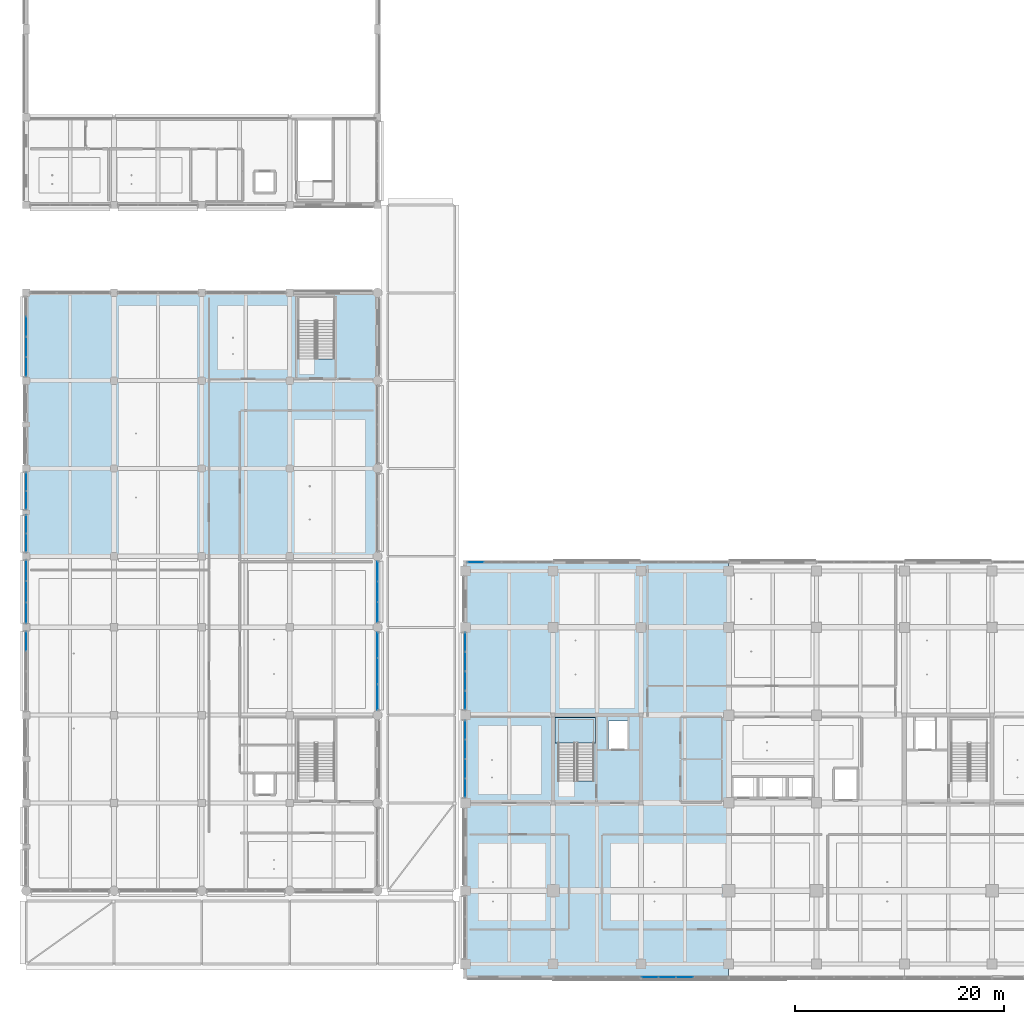
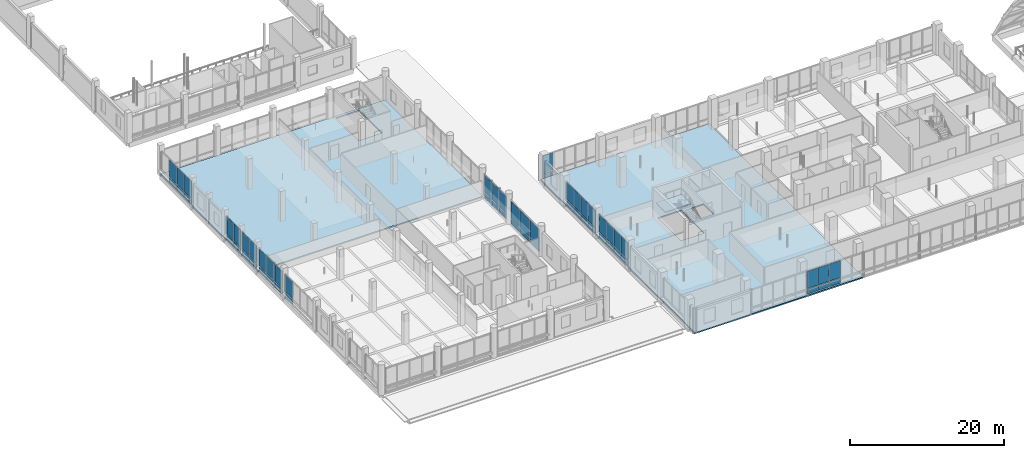
# One storey, part 39 of 128: 58 plates, 3 slabs, 12 elements without a shape of their own.
"""IFC4 building model written with IfcOpenShell, lengths in metres."""

from ifc_helpers import new_model, si_unit, direction, frame, origin, origin_2d, place, context, subcontext, project, spatial, polyline, rectangle, outline, extrude, material, layer, layer_set, type_object, element, aggregate, save


model = new_model("IFC4")

# Units and contexts
model_context = context("Model", 3, precision=1e-05, world=origin(), true_north=direction((0.0, 1.0)))
body_context = subcontext(model_context, "Body", "Model", "MODEL_VIEW")
ifc_project = project(units=[si_unit("LENGTHUNIT", "METRE"), si_unit("AREAUNIT", "SQUARE_METRE"), si_unit("VOLUMEUNIT", "CUBIC_METRE"), si_unit("PLANEANGLEUNIT", "RADIAN"), si_unit("MASSUNIT", "GRAM", prefix="KILO")], contexts=[model_context])

# Site, building, storey
site_placement = place(None, origin())
site = spatial("IfcSite", under=ifc_project, at=site_placement, CompositionType="ELEMENT")
building_placement = place(site_placement, origin())
building = spatial("IfcBuilding", under=site, at=building_placement, Name="Telukmera Botanical Conservatory", CompositionType="ELEMENT")
storey_placement = place(building_placement, frame((0.0, 0.0, 5.39990234375)))
storey = spatial("IfcBuildingStorey", under=building, at=storey_placement, Name="L01", CompositionType="ELEMENT", Elevation=5.39990234375)

# Stair, slab
ifc_material_1 = material(Name="Concrete C40/50", Category="concrete")
stair_type = type_object("IfcStairType", Name="ST-ESC-4800", PredefinedType="HALF_TURN_STAIR", material=ifc_material_1)
stair_placement = place(storey_placement, origin())
stair = element("IfcStair", 1, at=stair_placement, inside=storey, type_object=stair_type, Name="L01 Protected Escape Stair ST1", PredefinedType="HALF_TURN_STAIR")
ifc_layer_1 = layer(ifc_material_1, 0.199951171875)
ifc_layer_set_1 = layer_set([ifc_layer_1], Name="Concrete C40/50")
slab_type_1 = type_object("IfcSlabType", Name="SL-LAND-200", PredefinedType="LANDING", material=ifc_layer_set_1)
slab_1_placement = place(storey_placement, frame((0.0, 0.0, 2.2001953125)))
slab_1 = element("IfcSlab", 2, at=slab_1_placement, type_object=slab_type_1, Name="ST1 landing 1", PredefinedType="LANDING", context=body_context, shape_type="SweptSolid", body=[
    extrude(outline(polyline([(59.0048828125, 31.72998046875), (62.844970703125, 31.72998046875), (62.844970703125, 34.195068359375), (59.0048828125, 34.195068359375), (59.0048828125, 31.72998046875)])), origin(), (0.0, 0.0, 1.0), 0.199951171875),
])
aggregate(stair, [slab_1])

# Slabs
ifc_layer_2 = layer(ifc_material_1, 0.199951171875)
ifc_layer_set_2 = layer_set([ifc_layer_2], Name="Concrete C40/50")
slab_type_2 = type_object("IfcSlabType", Name="Slab_FS20", PredefinedType="FLOOR", material=ifc_layer_set_2)
slab_2_placement = place(storey_placement, frame((0.0, 0.0, -0.199951171875)))
element("IfcSlab", 3, at=slab_2_placement, inside=storey, type_object=slab_type_2, Name="Tower Floor Slab L01 (WEST)", PredefinedType="FLOOR", context=body_context, shape_type="SweptSolid", body=[
    extrude(outline(polyline([(50.39990234375, 9.199951171875), (75.60009765625, 9.199951171875), (75.60009765625, 49.199951171875), (50.39990234375, 49.199951171875), (50.39990234375, 9.199951171875)]), holes=[polyline([(62.72998046875, 28.093017578125), (62.72998046875, 34.050048828125), (59.25, 34.050048828125), (59.25, 28.093017578125), (62.72998046875, 28.093017578125)]), polyline([(64.080078125, 31.179931640625), (65.919921875, 31.179931640625), (65.919921875, 33.820068359375), (64.080078125, 33.820068359375), (64.080078125, 31.179931640625)])]), origin(), (0.0, 0.0, 1.0), 0.199951171875),
])
slab_3_placement = place(storey_placement, frame((0.0, 0.0, -0.199951171875)))
element("IfcSlab", 4, at=slab_3_placement, inside=storey, type_object=slab_type_2, Name="Visitor Centre North Floor Slab L01", PredefinedType="FLOOR", context=body_context, shape_type="SweptSolid", body=[
    extrude(outline(polyline([(8.39990234375, 49.60009765625), (42.0, 49.60009765625), (42.0, 74.800048828125), (8.39990234375, 74.800048828125), (8.39990234375, 49.60009765625)]), holes=[polyline([(37.8798828125, 68.492919921875), (37.8798828125, 74.449951171875), (34.39990234375, 74.449951171875), (34.39990234375, 68.492919921875), (37.8798828125, 68.492919921875)])]), origin(), (0.0, 0.0, 1.0), 0.199951171875),
])

# Curtain wall, plates
ifc_material_2 = material(Name="Anodised aluminium 6063-T6", Category="aluminium")
ifc_layer_3 = layer(ifc_material_2, 0.179931640625)
ifc_layer_set_3 = layer_set([ifc_layer_3], Name="Anodised aluminium 6063-T6")
curtain_wall_type_1 = type_object("IfcCurtainWallType", Name="Visitor Gallery Second Floor Curtain Wall 2400 Mod", PredefinedType="USERDEFINED", material=ifc_layer_set_3)
curtain_wall_1_placement = place(storey_placement, origin())
curtain_wall_1 = element("IfcCurtainWall", 5, at=curtain_wall_1_placement, inside=storey, type_object=curtain_wall_type_1, Name="Unitised Curtain Wall CW09 V3:L01:E3", ObjectType="UNITISED CURTAIN WALL", PredefinedType="USERDEFINED")
ifc_material_3 = material(Name="Spectrally selective low-E double glazing", Category="glass")
ifc_layer_4 = layer(ifc_material_3, 0.0380859375)
ifc_layer_set_4 = layer_set([ifc_layer_4], Name="Spectrally selective low-E double glazing")
plate_type_1 = type_object("IfcPlateType", Name="Solar Control Fritted Spandrel Glazing Panel 38", PredefinedType="CURTAIN_PANEL", material=ifc_layer_set_4)
plate_1_placement = place(storey_placement, frame((42.0, 36.11767578125, 0.130126953125), z_axis=(0.0, 0.0, 1.0), x_axis=(0.0, 1.0, 0.0)))
plate_1 = element("IfcPlate", 6, at=plate_1_placement, type_object=plate_type_1, Name="CW09 panel 1.1", PredefinedType="CURTAIN_PANEL", context=body_context, shape_type="SweptSolid", body=[
    extrude(rectangle(XDim=2.401123046875, YDim=0.0380859375, at=origin_2d()), origin(), (0.0, 0.0, 1.0), 0.7548828125),
])
plate_2_placement = place(storey_placement, frame((42.0, 36.11767578125, 1.01513671875), z_axis=(0.0, 0.0, 1.0), x_axis=(0.0, 1.0, 0.0)))
plate_2 = element("IfcPlate", 7, at=plate_2_placement, type_object=plate_type_1, Name="CW09 panel 1.2", PredefinedType="CURTAIN_PANEL", context=body_context, shape_type="SweptSolid", body=[
    extrude(rectangle(XDim=2.401123046875, YDim=0.0380859375, at=origin_2d()), origin(), (0.0, 0.0, 1.0), 2.705078125),
])
plate_3_placement = place(storey_placement, frame((42.0, 38.60009765625, 0.130126953125), z_axis=(0.0, 0.0, 1.0), x_axis=(0.0, 1.0, 0.0)))
plate_3 = element("IfcPlate", 8, at=plate_3_placement, type_object=plate_type_1, Name="CW09 panel 2.1", PredefinedType="CURTAIN_PANEL", context=body_context, shape_type="SweptSolid", body=[
    extrude(rectangle(XDim=2.43359375, YDim=0.0380859375, at=origin_2d()), origin(), (0.0, 0.0, 1.0), 0.7548828125),
])
plate_4_placement = place(storey_placement, frame((42.0, 38.60009765625, 1.01513671875), z_axis=(0.0, 0.0, 1.0), x_axis=(0.0, 1.0, 0.0)))
plate_4 = element("IfcPlate", 9, at=plate_4_placement, type_object=plate_type_1, Name="CW09 panel 2.2", PredefinedType="CURTAIN_PANEL", context=body_context, shape_type="SweptSolid", body=[
    extrude(rectangle(XDim=2.43359375, YDim=0.0380859375, at=origin_2d()), origin(), (0.0, 0.0, 1.0), 2.705078125),
])
plate_5_placement = place(storey_placement, frame((42.0, 41.08251953125, 0.130126953125), z_axis=(0.0, 0.0, 1.0), x_axis=(0.0, 1.0, 0.0)))
plate_5 = element("IfcPlate", 10, at=plate_5_placement, type_object=plate_type_1, Name="CW09 panel 3.1", PredefinedType="CURTAIN_PANEL", context=body_context, shape_type="SweptSolid", body=[
    extrude(rectangle(XDim=2.401123046875, YDim=0.0380859375, at=origin_2d()), origin(), (0.0, 0.0, 1.0), 0.7548828125),
])
plate_6_placement = place(storey_placement, frame((42.0, 41.08251953125, 1.01513671875), z_axis=(0.0, 0.0, 1.0), x_axis=(0.0, 1.0, 0.0)))
plate_6 = element("IfcPlate", 11, at=plate_6_placement, type_object=plate_type_1, Name="CW09 panel 3.2", PredefinedType="CURTAIN_PANEL", context=body_context, shape_type="SweptSolid", body=[
    extrude(rectangle(XDim=2.401123046875, YDim=0.0380859375, at=origin_2d()), origin(), (0.0, 0.0, 1.0), 2.705078125),
])
aggregate(curtain_wall_1, [plate_1, plate_2, plate_3, plate_4, plate_5, plate_6])

ifc_layer_5 = layer(ifc_material_2, 0.179931640625)
ifc_layer_set_5 = layer_set([ifc_layer_5], Name="Anodised aluminium 6063-T6")
curtain_wall_type_2 = type_object("IfcCurtainWallType", Name="Visitor Gallery First Floor Curtain Wall 1800 Mod", PredefinedType="USERDEFINED", material=ifc_layer_set_5)
curtain_wall_2_placement = place(storey_placement, origin())
curtain_wall_2 = element("IfcCurtainWall", 12, at=curtain_wall_2_placement, inside=storey, type_object=curtain_wall_type_2, Name="Unitised Curtain Wall CW08 V3:L01:W3", ObjectType="UNITISED CURTAIN WALL", PredefinedType="USERDEFINED")
ifc_layer_6 = layer(ifc_material_3, 0.028076171875)
ifc_layer_set_6 = layer_set([ifc_layer_6], Name="Spectrally selective low-E double glazing")
plate_type_2 = type_object("IfcPlateType", Name="Spectrally Selective Vision Double Glazing Panel 28", PredefinedType="CURTAIN_PANEL", material=ifc_layer_set_6)
plate_7_placement = place(storey_placement, frame((8.39990234375, 41.4697265625, 0.130126953125), z_axis=(0.0, 0.0, 1.0), x_axis=(0.0, 1.0, 0.0)))
plate_7 = element("IfcPlate", 13, at=plate_7_placement, type_object=plate_type_2, Name="CW08 panel 4.1", PredefinedType="CURTAIN_PANEL", context=body_context, shape_type="SweptSolid", body=[
    extrude(rectangle(XDim=1.826416015625, YDim=0.028076171875, at=origin_2d()), origin(), (0.0, 0.0, 1.0), 0.7548828125),
])
plate_8_placement = place(storey_placement, frame((8.39990234375, 41.4697265625, 1.01513671875), z_axis=(0.0, 0.0, 1.0), x_axis=(0.0, 1.0, 0.0)))
plate_8 = element("IfcPlate", 14, at=plate_8_placement, type_object=plate_type_2, Name="CW08 panel 4.2", PredefinedType="CURTAIN_PANEL", context=body_context, shape_type="SweptSolid", body=[
    extrude(rectangle(XDim=1.826416015625, YDim=0.028076171875, at=origin_2d()), origin(), (0.0, 0.0, 1.0), 2.705078125),
])
aggregate(curtain_wall_2, [plate_7, plate_8])

ifc_layer_7 = layer(ifc_material_2, 0.179931640625)
ifc_layer_set_7 = layer_set([ifc_layer_7], Name="Anodised aluminium 6063-T6")
curtain_wall_type_3 = type_object("IfcCurtainWallType", Name="Visitor Courtyard Narrow Bay Curtain Wall", PredefinedType="USERDEFINED", material=ifc_layer_set_7)
curtain_wall_3_placement = place(storey_placement, origin())
curtain_wall_3 = element("IfcCurtainWall", 15, at=curtain_wall_3_placement, inside=storey, type_object=curtain_wall_type_3, Name="Unitised Curtain Wall CW10 V3:L01:W4", ObjectType="UNITISED CURTAIN WALL", PredefinedType="USERDEFINED")
plate_9_placement = place(storey_placement, frame((8.39990234375, 44.18310546875, 0.1103515625), z_axis=(0.0, 0.0, 1.0), x_axis=(0.0, 1.0, 0.0)))
plate_9 = element("IfcPlate", 16, at=plate_9_placement, type_object=plate_type_2, Name="CW10 panel 1.1", PredefinedType="CURTAIN_PANEL", context=body_context, shape_type="SweptSolid", body=[
    extrude(rectangle(XDim=1.94189453125, YDim=0.028076171875, at=origin_2d()), origin(), (0.0, 0.0, 1.0), 0.784912109375),
])
plate_10_placement = place(storey_placement, frame((8.39990234375, 44.18310546875, 1.0048828125), z_axis=(0.0, 0.0, 1.0), x_axis=(0.0, 1.0, 0.0)))
plate_10 = element("IfcPlate", 17, at=plate_10_placement, type_object=plate_type_2, Name="CW10 panel 1.2", PredefinedType="CURTAIN_PANEL", context=body_context, shape_type="SweptSolid", body=[
    extrude(rectangle(XDim=1.94189453125, YDim=0.028076171875, at=origin_2d()), origin(), (0.0, 0.0, 1.0), 2.735107421875),
])
plate_11_placement = place(storey_placement, frame((8.39990234375, 46.199951171875, 0.1103515625), z_axis=(0.0, 0.0, 1.0), x_axis=(0.0, 1.0, 0.0)))
plate_11 = element("IfcPlate", 18, at=plate_11_placement, type_object=plate_type_2, Name="CW10 panel 2.1", PredefinedType="CURTAIN_PANEL", context=body_context, shape_type="SweptSolid", body=[
    extrude(rectangle(XDim=1.971923828125, YDim=0.028076171875, at=origin_2d()), origin(), (0.0, 0.0, 1.0), 0.784912109375),
])
plate_12_placement = place(storey_placement, frame((8.39990234375, 46.199951171875, 1.0048828125), z_axis=(0.0, 0.0, 1.0), x_axis=(0.0, 1.0, 0.0)))
plate_12 = element("IfcPlate", 19, at=plate_12_placement, type_object=plate_type_2, Name="CW10 panel 2.2", PredefinedType="CURTAIN_PANEL", context=body_context, shape_type="SweptSolid", body=[
    extrude(rectangle(XDim=1.971923828125, YDim=0.028076171875, at=origin_2d()), origin(), (0.0, 0.0, 1.0), 2.735107421875),
])
plate_13_placement = place(storey_placement, frame((8.39990234375, 48.217041015625, 0.1103515625), z_axis=(0.0, 0.0, 1.0), x_axis=(0.0, 1.0, 0.0)))
plate_13 = element("IfcPlate", 20, at=plate_13_placement, type_object=plate_type_2, Name="CW10 panel 3.1", PredefinedType="CURTAIN_PANEL", context=body_context, shape_type="SweptSolid", body=[
    extrude(rectangle(XDim=1.94189453125, YDim=0.028076171875, at=origin_2d()), origin(), (0.0, 0.0, 1.0), 0.784912109375),
])
plate_14_placement = place(storey_placement, frame((8.39990234375, 48.217041015625, 1.0048828125), z_axis=(0.0, 0.0, 1.0), x_axis=(0.0, 1.0, 0.0)))
plate_14 = element("IfcPlate", 21, at=plate_14_placement, type_object=plate_type_2, Name="CW10 panel 3.2", PredefinedType="CURTAIN_PANEL", context=body_context, shape_type="SweptSolid", body=[
    extrude(rectangle(XDim=1.94189453125, YDim=0.028076171875, at=origin_2d()), origin(), (0.0, 0.0, 1.0), 2.735107421875),
])
aggregate(curtain_wall_3, [plate_9, plate_10, plate_11, plate_12, plate_13, plate_14])

curtain_wall_4_placement = place(storey_placement, origin())
curtain_wall_4 = element("IfcCurtainWall", 22, at=curtain_wall_4_placement, inside=storey, type_object=curtain_wall_type_2, Name="Unitised Curtain Wall CW08 V3:L01:W5A", ObjectType="UNITISED CURTAIN WALL", PredefinedType="USERDEFINED")
plate_15_placement = place(storey_placement, frame((8.39990234375, 50.87353515625, 0.130126953125), z_axis=(0.0, 0.0, 1.0), x_axis=(0.0, 1.0, 0.0)))
plate_15 = element("IfcPlate", 23, at=plate_15_placement, type_object=plate_type_2, Name="CW08 panel 1.1", PredefinedType="CURTAIN_PANEL", context=body_context, shape_type="SweptSolid", body=[
    extrude(rectangle(XDim=1.712890625, YDim=0.028076171875, at=origin_2d()), origin(), (0.0, 0.0, 1.0), 0.7548828125),
])
plate_16_placement = place(storey_placement, frame((8.39990234375, 50.87353515625, 1.01513671875), z_axis=(0.0, 0.0, 1.0), x_axis=(0.0, 1.0, 0.0)))
plate_16 = element("IfcPlate", 24, at=plate_16_placement, type_object=plate_type_2, Name="CW08 panel 1.2", PredefinedType="CURTAIN_PANEL", context=body_context, shape_type="SweptSolid", body=[
    extrude(rectangle(XDim=1.712890625, YDim=0.028076171875, at=origin_2d()), origin(), (0.0, 0.0, 1.0), 2.705078125),
])
plate_17_placement = place(storey_placement, frame((8.39990234375, 52.651611328125, 0.130126953125), z_axis=(0.0, 0.0, 1.0), x_axis=(0.0, 1.0, 0.0)))
plate_17 = element("IfcPlate", 25, at=plate_17_placement, type_object=plate_type_2, Name="CW08 panel 2.1", PredefinedType="CURTAIN_PANEL", context=body_context, shape_type="SweptSolid", body=[
    extrude(rectangle(XDim=1.712890625, YDim=0.028076171875, at=origin_2d()), origin(), (0.0, 0.0, 1.0), 0.7548828125),
])
plate_18_placement = place(storey_placement, frame((8.39990234375, 52.651611328125, 1.01513671875), z_axis=(0.0, 0.0, 1.0), x_axis=(0.0, 1.0, 0.0)))
plate_18 = element("IfcPlate", 26, at=plate_18_placement, type_object=plate_type_2, Name="CW08 panel 2.2", PredefinedType="CURTAIN_PANEL", context=body_context, shape_type="SweptSolid", body=[
    extrude(rectangle(XDim=1.712890625, YDim=0.028076171875, at=origin_2d()), origin(), (0.0, 0.0, 1.0), 2.705078125),
])
aggregate(curtain_wall_4, [plate_15, plate_16, plate_17, plate_18])

curtain_wall_5_placement = place(storey_placement, origin())
curtain_wall_5 = element("IfcCurtainWall", 27, at=curtain_wall_5_placement, inside=storey, type_object=curtain_wall_type_2, Name="Unitised Curtain Wall CW08 V3:L01:W5B", ObjectType="UNITISED CURTAIN WALL", PredefinedType="USERDEFINED")
plate_19_placement = place(storey_placement, frame((8.39990234375, 54.948486328125, 0.130126953125), z_axis=(0.0, 0.0, 1.0), x_axis=(0.0, 1.0, 0.0)))
plate_19 = element("IfcPlate", 28, at=plate_19_placement, type_object=plate_type_2, Name="CW08 panel 1.1", PredefinedType="CURTAIN_PANEL", context=body_context, shape_type="SweptSolid", body=[
    extrude(rectangle(XDim=1.712890625, YDim=0.028076171875, at=origin_2d()), origin(), (0.0, 0.0, 1.0), 0.7548828125),
])
plate_20_placement = place(storey_placement, frame((8.39990234375, 54.948486328125, 1.01513671875), z_axis=(0.0, 0.0, 1.0), x_axis=(0.0, 1.0, 0.0)))
plate_20 = element("IfcPlate", 29, at=plate_20_placement, type_object=plate_type_2, Name="CW08 panel 1.2", PredefinedType="CURTAIN_PANEL", context=body_context, shape_type="SweptSolid", body=[
    extrude(rectangle(XDim=1.712890625, YDim=0.028076171875, at=origin_2d()), origin(), (0.0, 0.0, 1.0), 2.705078125),
])
plate_21_placement = place(storey_placement, frame((8.39990234375, 56.7265625, 0.130126953125), z_axis=(0.0, 0.0, 1.0), x_axis=(0.0, 1.0, 0.0)))
plate_21 = element("IfcPlate", 30, at=plate_21_placement, type_object=plate_type_2, Name="CW08 panel 2.1", PredefinedType="CURTAIN_PANEL", context=body_context, shape_type="SweptSolid", body=[
    extrude(rectangle(XDim=1.712890625, YDim=0.028076171875, at=origin_2d()), origin(), (0.0, 0.0, 1.0), 0.7548828125),
])
plate_22_placement = place(storey_placement, frame((8.39990234375, 56.7265625, 1.01513671875), z_axis=(0.0, 0.0, 1.0), x_axis=(0.0, 1.0, 0.0)))
plate_22 = element("IfcPlate", 31, at=plate_22_placement, type_object=plate_type_2, Name="CW08 panel 2.2", PredefinedType="CURTAIN_PANEL", context=body_context, shape_type="SweptSolid", body=[
    extrude(rectangle(XDim=1.712890625, YDim=0.028076171875, at=origin_2d()), origin(), (0.0, 0.0, 1.0), 2.705078125),
])
aggregate(curtain_wall_5, [plate_19, plate_20, plate_21, plate_22])

curtain_wall_6_placement = place(storey_placement, origin())
curtain_wall_6 = element("IfcCurtainWall", 32, at=curtain_wall_6_placement, inside=storey, type_object=curtain_wall_type_2, Name="Unitised Curtain Wall CW08 V3:L01:W7", ObjectType="UNITISED CURTAIN WALL", PredefinedType="USERDEFINED")
plate_23_placement = place(storey_placement, frame((8.39990234375, 67.730224609375, 0.130126953125), z_axis=(0.0, 0.0, 1.0), x_axis=(0.0, 1.0, 0.0)))
plate_23 = element("IfcPlate", 33, at=plate_23_placement, type_object=plate_type_2, Name="CW08 panel 1.1", PredefinedType="CURTAIN_PANEL", context=body_context, shape_type="SweptSolid", body=[
    extrude(rectangle(XDim=1.826416015625, YDim=0.028076171875, at=origin_2d()), origin(), (0.0, 0.0, 1.0), 0.7548828125),
])
plate_24_placement = place(storey_placement, frame((8.39990234375, 67.730224609375, 1.01513671875), z_axis=(0.0, 0.0, 1.0), x_axis=(0.0, 1.0, 0.0)))
plate_24 = element("IfcPlate", 34, at=plate_24_placement, type_object=plate_type_2, Name="CW08 panel 1.2", PredefinedType="CURTAIN_PANEL", context=body_context, shape_type="SweptSolid", body=[
    extrude(rectangle(XDim=1.826416015625, YDim=0.028076171875, at=origin_2d()), origin(), (0.0, 0.0, 1.0), 2.705078125),
])
plate_25_placement = place(storey_placement, frame((8.39990234375, 69.637939453125, 0.130126953125), z_axis=(0.0, 0.0, 1.0), x_axis=(0.0, 1.0, 0.0)))
plate_25 = element("IfcPlate", 35, at=plate_25_placement, type_object=plate_type_2, Name="CW08 panel 2.1", PredefinedType="CURTAIN_PANEL", context=body_context, shape_type="SweptSolid", body=[
    extrude(rectangle(XDim=1.85888671875, YDim=0.028076171875, at=origin_2d()), origin(), (0.0, 0.0, 1.0), 0.7548828125),
])
plate_26_placement = place(storey_placement, frame((8.39990234375, 69.637939453125, 1.01513671875), z_axis=(0.0, 0.0, 1.0), x_axis=(0.0, 1.0, 0.0)))
plate_26 = element("IfcPlate", 36, at=plate_26_placement, type_object=plate_type_2, Name="CW08 panel 2.2", PredefinedType="CURTAIN_PANEL", context=body_context, shape_type="SweptSolid", body=[
    extrude(rectangle(XDim=1.85888671875, YDim=0.028076171875, at=origin_2d()), origin(), (0.0, 0.0, 1.0), 2.705078125),
])
plate_27_placement = place(storey_placement, frame((8.39990234375, 71.56201171875, 0.130126953125), z_axis=(0.0, 0.0, 1.0), x_axis=(0.0, 1.0, 0.0)))
plate_27 = element("IfcPlate", 37, at=plate_27_placement, type_object=plate_type_2, Name="CW08 panel 3.1", PredefinedType="CURTAIN_PANEL", context=body_context, shape_type="SweptSolid", body=[
    extrude(rectangle(XDim=1.85888671875, YDim=0.028076171875, at=origin_2d()), origin(), (0.0, 0.0, 1.0), 0.7548828125),
])
plate_28_placement = place(storey_placement, frame((8.39990234375, 71.56201171875, 1.01513671875), z_axis=(0.0, 0.0, 1.0), x_axis=(0.0, 1.0, 0.0)))
plate_28 = element("IfcPlate", 38, at=plate_28_placement, type_object=plate_type_2, Name="CW08 panel 3.2", PredefinedType="CURTAIN_PANEL", context=body_context, shape_type="SweptSolid", body=[
    extrude(rectangle(XDim=1.85888671875, YDim=0.028076171875, at=origin_2d()), origin(), (0.0, 0.0, 1.0), 2.705078125),
])
aggregate(curtain_wall_6, [plate_23, plate_24, plate_25, plate_26, plate_27, plate_28])

curtain_wall_7_placement = place(storey_placement, origin())
curtain_wall_7 = element("IfcCurtainWall", 39, at=curtain_wall_7_placement, inside=storey, type_object=curtain_wall_type_3, Name="Unitised Curtain Wall CW10 V3:L01:E4", ObjectType="UNITISED CURTAIN WALL", PredefinedType="USERDEFINED")
plate_29_placement = place(storey_placement, frame((42.0, 44.249755859375, 0.1103515625), z_axis=(0.0, 0.0, 1.0), x_axis=(0.0, 1.0, 0.0)))
plate_29 = element("IfcPlate", 40, at=plate_29_placement, type_object=plate_type_2, Name="CW10 panel 1.1", PredefinedType="CURTAIN_PANEL", context=body_context, shape_type="SweptSolid", body=[
    extrude(rectangle(XDim=1.875244140625, YDim=0.028076171875, at=origin_2d()), origin(), (0.0, 0.0, 1.0), 0.784912109375),
])
plate_30_placement = place(storey_placement, frame((42.0, 44.249755859375, 1.0048828125), z_axis=(0.0, 0.0, 1.0), x_axis=(0.0, 1.0, 0.0)))
plate_30 = element("IfcPlate", 41, at=plate_30_placement, type_object=plate_type_2, Name="CW10 panel 1.2", PredefinedType="CURTAIN_PANEL", context=body_context, shape_type="SweptSolid", body=[
    extrude(rectangle(XDim=1.875244140625, YDim=0.028076171875, at=origin_2d()), origin(), (0.0, 0.0, 1.0), 2.735107421875),
])
plate_31_placement = place(storey_placement, frame((42.0, 46.199951171875, 0.1103515625), z_axis=(0.0, 0.0, 1.0), x_axis=(0.0, 1.0, 0.0)))
plate_31 = element("IfcPlate", 42, at=plate_31_placement, type_object=plate_type_2, Name="CW10 panel 2.1", PredefinedType="CURTAIN_PANEL", context=body_context, shape_type="SweptSolid", body=[
    extrude(rectangle(XDim=1.9052734375, YDim=0.028076171875, at=origin_2d()), origin(), (0.0, 0.0, 1.0), 0.784912109375),
])
plate_32_placement = place(storey_placement, frame((42.0, 46.199951171875, 1.0048828125), z_axis=(0.0, 0.0, 1.0), x_axis=(0.0, 1.0, 0.0)))
plate_32 = element("IfcPlate", 43, at=plate_32_placement, type_object=plate_type_2, Name="CW10 panel 2.2", PredefinedType="CURTAIN_PANEL", context=body_context, shape_type="SweptSolid", body=[
    extrude(rectangle(XDim=1.9052734375, YDim=0.028076171875, at=origin_2d()), origin(), (0.0, 0.0, 1.0), 2.735107421875),
])
plate_33_placement = place(storey_placement, frame((42.0, 48.150390625, 0.1103515625), z_axis=(0.0, 0.0, 1.0), x_axis=(0.0, 1.0, 0.0)))
plate_33 = element("IfcPlate", 44, at=plate_33_placement, type_object=plate_type_2, Name="CW10 panel 3.1", PredefinedType="CURTAIN_PANEL", context=body_context, shape_type="SweptSolid", body=[
    extrude(rectangle(XDim=1.875244140625, YDim=0.028076171875, at=origin_2d()), origin(), (0.0, 0.0, 1.0), 0.784912109375),
])
plate_34_placement = place(storey_placement, frame((42.0, 48.150390625, 1.0048828125), z_axis=(0.0, 0.0, 1.0), x_axis=(0.0, 1.0, 0.0)))
plate_34 = element("IfcPlate", 45, at=plate_34_placement, type_object=plate_type_2, Name="CW10 panel 3.2", PredefinedType="CURTAIN_PANEL", context=body_context, shape_type="SweptSolid", body=[
    extrude(rectangle(XDim=1.875244140625, YDim=0.028076171875, at=origin_2d()), origin(), (0.0, 0.0, 1.0), 2.735107421875),
])
aggregate(curtain_wall_7, [plate_29, plate_30, plate_31, plate_32, plate_33, plate_34])

ifc_layer_8 = layer(ifc_material_2, 0.179931640625)
ifc_layer_set_8 = layer_set([ifc_layer_8], Name="Anodised aluminium 6063-T6")
curtain_wall_type_4 = type_object("IfcCurtainWallType", Name="Tower Reference Library Curtain Wall", PredefinedType="USERDEFINED", material=ifc_layer_set_8)
curtain_wall_8_placement = place(storey_placement, origin())
curtain_wall_8 = element("IfcCurtainWall", 46, at=curtain_wall_8_placement, inside=storey, type_object=curtain_wall_type_4, Name="Unitised Curtain Wall CW13 V4:L01:S3", ObjectType="UNITISED CURTAIN WALL", PredefinedType="USERDEFINED")
plate_35_placement = place(storey_placement, frame((68.057861328125, 9.320068359375, 0.130126953125), z_axis=(0.0, 0.0, 1.0), x_axis=(1.0, 0.0, 0.0)))
plate_35 = element("IfcPlate", 47, at=plate_35_placement, type_object=plate_type_2, Name="CW13 panel 1.1", PredefinedType="CURTAIN_PANEL", context=body_context, shape_type="SweptSolid", body=[
    extrude(rectangle(XDim=1.581787109375, YDim=0.028076171875, at=origin_2d()), origin(), (0.0, 0.0, 1.0), 0.7548828125),
])
plate_36_placement = place(storey_placement, frame((68.057861328125, 9.320068359375, 1.01513671875), z_axis=(0.0, 0.0, 1.0), x_axis=(1.0, 0.0, 0.0)))
plate_36 = element("IfcPlate", 48, at=plate_36_placement, type_object=plate_type_2, Name="CW13 panel 1.2", PredefinedType="CURTAIN_PANEL", context=body_context, shape_type="SweptSolid", body=[
    extrude(rectangle(XDim=1.581787109375, YDim=0.028076171875, at=origin_2d()), origin(), (0.0, 0.0, 1.0), 2.705078125),
])
plate_37_placement = place(storey_placement, frame((69.720703125, 9.320068359375, 0.130126953125), z_axis=(0.0, 0.0, 1.0), x_axis=(1.0, 0.0, 0.0)))
plate_37 = element("IfcPlate", 49, at=plate_37_placement, type_object=plate_type_2, Name="CW13 panel 2.1", PredefinedType="CURTAIN_PANEL", context=body_context, shape_type="SweptSolid", body=[
    extrude(rectangle(XDim=1.6142578125, YDim=0.028076171875, at=origin_2d()), origin(), (0.0, 0.0, 1.0), 0.7548828125),
])
plate_38_placement = place(storey_placement, frame((69.720703125, 9.320068359375, 1.01513671875), z_axis=(0.0, 0.0, 1.0), x_axis=(1.0, 0.0, 0.0)))
plate_38 = element("IfcPlate", 50, at=plate_38_placement, type_object=plate_type_2, Name="CW13 panel 2.2", PredefinedType="CURTAIN_PANEL", context=body_context, shape_type="SweptSolid", body=[
    extrude(rectangle(XDim=1.6142578125, YDim=0.028076171875, at=origin_2d()), origin(), (0.0, 0.0, 1.0), 2.705078125),
])
plate_39_placement = place(storey_placement, frame((71.39990234375, 9.320068359375, 0.130126953125), z_axis=(0.0, 0.0, 1.0), x_axis=(1.0, 0.0, 0.0)))
plate_39 = element("IfcPlate", 51, at=plate_39_placement, type_object=plate_type_2, Name="CW13 panel 3.1", PredefinedType="CURTAIN_PANEL", context=body_context, shape_type="SweptSolid", body=[
    extrude(rectangle(XDim=1.6142578125, YDim=0.028076171875, at=origin_2d()), origin(), (0.0, 0.0, 1.0), 0.7548828125),
])
plate_40_placement = place(storey_placement, frame((71.39990234375, 9.320068359375, 1.01513671875), z_axis=(0.0, 0.0, 1.0), x_axis=(1.0, 0.0, 0.0)))
plate_40 = element("IfcPlate", 52, at=plate_40_placement, type_object=plate_type_2, Name="CW13 panel 3.2", PredefinedType="CURTAIN_PANEL", context=body_context, shape_type="SweptSolid", body=[
    extrude(rectangle(XDim=1.6142578125, YDim=0.028076171875, at=origin_2d()), origin(), (0.0, 0.0, 1.0), 2.705078125),
])
aggregate(curtain_wall_8, [plate_35, plate_36, plate_37, plate_38, plate_39, plate_40])

curtain_wall_9_placement = place(storey_placement, origin())
curtain_wall_9 = element("IfcCurtainWall", 53, at=curtain_wall_9_placement, inside=storey, type_object=curtain_wall_type_4, Name="Unitised Curtain Wall CW13 V4:L01:N1", ObjectType="UNITISED CURTAIN WALL", PredefinedType="USERDEFINED")
plate_41_placement = place(storey_placement, frame((51.392822265625, 49.02001953125, 0.130126953125), z_axis=(0.0, 0.0, 1.0), x_axis=(1.0, 0.0, 0.0)))
plate_41 = element("IfcPlate", 54, at=plate_41_placement, type_object=plate_type_2, Name="CW13 panel 1.1", PredefinedType="CURTAIN_PANEL", context=body_context, shape_type="SweptSolid", body=[
    extrude(rectangle(XDim=1.5517578125, YDim=0.028076171875, at=origin_2d()), origin(), (0.0, 0.0, 1.0), 0.7548828125),
])
plate_42_placement = place(storey_placement, frame((51.392822265625, 49.02001953125, 1.01513671875), z_axis=(0.0, 0.0, 1.0), x_axis=(1.0, 0.0, 0.0)))
plate_42 = element("IfcPlate", 55, at=plate_42_placement, type_object=plate_type_2, Name="CW13 panel 1.2", PredefinedType="CURTAIN_PANEL", context=body_context, shape_type="SweptSolid", body=[
    extrude(rectangle(XDim=1.5517578125, YDim=0.028076171875, at=origin_2d()), origin(), (0.0, 0.0, 1.0), 2.705078125),
])
aggregate(curtain_wall_9, [plate_41, plate_42])

curtain_wall_10_placement = place(storey_placement, origin())
curtain_wall_10 = element("IfcCurtainWall", 56, at=curtain_wall_10_placement, inside=storey, type_object=curtain_wall_type_4, Name="Unitised Curtain Wall CW13 V4:L01:W3", ObjectType="UNITISED CURTAIN WALL", PredefinedType="USERDEFINED")
plate_43_placement = place(storey_placement, frame((50.39990234375, 27.424072265625, 0.130126953125), z_axis=(0.0, 0.0, 1.0), x_axis=(0.0, 1.0, 0.0)))
plate_43 = element("IfcPlate", 57, at=plate_43_placement, type_object=plate_type_2, Name="CW13 panel 1.1", PredefinedType="CURTAIN_PANEL", context=body_context, shape_type="SweptSolid", body=[
    extrude(rectangle(XDim=1.763916015625, YDim=0.028076171875, at=origin_2d()), origin(), (0.0, 0.0, 1.0), 0.7548828125),
])
plate_44_placement = place(storey_placement, frame((50.39990234375, 27.424072265625, 1.01513671875), z_axis=(0.0, 0.0, 1.0), x_axis=(0.0, 1.0, 0.0)))
plate_44 = element("IfcPlate", 58, at=plate_44_placement, type_object=plate_type_2, Name="CW13 panel 1.2", PredefinedType="CURTAIN_PANEL", context=body_context, shape_type="SweptSolid", body=[
    extrude(rectangle(XDim=1.763916015625, YDim=0.028076171875, at=origin_2d()), origin(), (0.0, 0.0, 1.0), 2.705078125),
])
plate_45_placement = place(storey_placement, frame((50.39990234375, 29.269287109375, 0.130126953125), z_axis=(0.0, 0.0, 1.0), x_axis=(0.0, 1.0, 0.0)))
plate_45 = element("IfcPlate", 59, at=plate_45_placement, type_object=plate_type_2, Name="CW13 panel 2.1", PredefinedType="CURTAIN_PANEL", context=body_context, shape_type="SweptSolid", body=[
    extrude(rectangle(XDim=1.79638671875, YDim=0.028076171875, at=origin_2d()), origin(), (0.0, 0.0, 1.0), 0.7548828125),
])
plate_46_placement = place(storey_placement, frame((50.39990234375, 29.269287109375, 1.01513671875), z_axis=(0.0, 0.0, 1.0), x_axis=(0.0, 1.0, 0.0)))
plate_46 = element("IfcPlate", 60, at=plate_46_placement, type_object=plate_type_2, Name="CW13 panel 2.2", PredefinedType="CURTAIN_PANEL", context=body_context, shape_type="SweptSolid", body=[
    extrude(rectangle(XDim=1.79638671875, YDim=0.028076171875, at=origin_2d()), origin(), (0.0, 0.0, 1.0), 2.705078125),
])
plate_47_placement = place(storey_placement, frame((50.39990234375, 31.130859375, 0.130126953125), z_axis=(0.0, 0.0, 1.0), x_axis=(0.0, 1.0, 0.0)))
plate_47 = element("IfcPlate", 61, at=plate_47_placement, type_object=plate_type_2, Name="CW13 panel 3.1", PredefinedType="CURTAIN_PANEL", context=body_context, shape_type="SweptSolid", body=[
    extrude(rectangle(XDim=1.79638671875, YDim=0.028076171875, at=origin_2d()), origin(), (0.0, 0.0, 1.0), 0.7548828125),
])
plate_48_placement = place(storey_placement, frame((50.39990234375, 31.130859375, 1.01513671875), z_axis=(0.0, 0.0, 1.0), x_axis=(0.0, 1.0, 0.0)))
plate_48 = element("IfcPlate", 62, at=plate_48_placement, type_object=plate_type_2, Name="CW13 panel 3.2", PredefinedType="CURTAIN_PANEL", context=body_context, shape_type="SweptSolid", body=[
    extrude(rectangle(XDim=1.79638671875, YDim=0.028076171875, at=origin_2d()), origin(), (0.0, 0.0, 1.0), 2.705078125),
])
plate_49_placement = place(storey_placement, frame((50.39990234375, 32.97607421875, 0.130126953125), z_axis=(0.0, 0.0, 1.0), x_axis=(0.0, 1.0, 0.0)))
plate_49 = element("IfcPlate", 63, at=plate_49_placement, type_object=plate_type_2, Name="CW13 panel 4.1", PredefinedType="CURTAIN_PANEL", context=body_context, shape_type="SweptSolid", body=[
    extrude(rectangle(XDim=1.763916015625, YDim=0.028076171875, at=origin_2d()), origin(), (0.0, 0.0, 1.0), 0.7548828125),
])
plate_50_placement = place(storey_placement, frame((50.39990234375, 32.97607421875, 1.01513671875), z_axis=(0.0, 0.0, 1.0), x_axis=(0.0, 1.0, 0.0)))
plate_50 = element("IfcPlate", 64, at=plate_50_placement, type_object=plate_type_2, Name="CW13 panel 4.2", PredefinedType="CURTAIN_PANEL", context=body_context, shape_type="SweptSolid", body=[
    extrude(rectangle(XDim=1.763916015625, YDim=0.028076171875, at=origin_2d()), origin(), (0.0, 0.0, 1.0), 2.705078125),
])
aggregate(curtain_wall_10, [plate_43, plate_44, plate_45, plate_46, plate_47, plate_48, plate_49, plate_50])

curtain_wall_11_placement = place(storey_placement, origin())
curtain_wall_11 = element("IfcCurtainWall", 65, at=curtain_wall_11_placement, inside=storey, type_object=curtain_wall_type_4, Name="Unitised Curtain Wall CW13 V4:L01:W4", ObjectType="UNITISED CURTAIN WALL", PredefinedType="USERDEFINED")
plate_51_placement = place(storey_placement, frame((50.39990234375, 35.823974609375, 0.130126953125), z_axis=(0.0, 0.0, 1.0), x_axis=(0.0, 1.0, 0.0)))
plate_51 = element("IfcPlate", 66, at=plate_51_placement, type_object=plate_type_2, Name="CW13 panel 1.1", PredefinedType="CURTAIN_PANEL", context=body_context, shape_type="SweptSolid", body=[
    extrude(rectangle(XDim=1.763916015625, YDim=0.028076171875, at=origin_2d()), origin(), (0.0, 0.0, 1.0), 0.7548828125),
])
plate_52_placement = place(storey_placement, frame((50.39990234375, 35.823974609375, 1.01513671875), z_axis=(0.0, 0.0, 1.0), x_axis=(0.0, 1.0, 0.0)))
plate_52 = element("IfcPlate", 67, at=plate_52_placement, type_object=plate_type_2, Name="CW13 panel 1.2", PredefinedType="CURTAIN_PANEL", context=body_context, shape_type="SweptSolid", body=[
    extrude(rectangle(XDim=1.763916015625, YDim=0.028076171875, at=origin_2d()), origin(), (0.0, 0.0, 1.0), 2.705078125),
])
plate_53_placement = place(storey_placement, frame((50.39990234375, 37.669189453125, 0.130126953125), z_axis=(0.0, 0.0, 1.0), x_axis=(0.0, 1.0, 0.0)))
plate_53 = element("IfcPlate", 68, at=plate_53_placement, type_object=plate_type_2, Name="CW13 panel 2.1", PredefinedType="CURTAIN_PANEL", context=body_context, shape_type="SweptSolid", body=[
    extrude(rectangle(XDim=1.79638671875, YDim=0.028076171875, at=origin_2d()), origin(), (0.0, 0.0, 1.0), 0.7548828125),
])
plate_54_placement = place(storey_placement, frame((50.39990234375, 37.669189453125, 1.01513671875), z_axis=(0.0, 0.0, 1.0), x_axis=(0.0, 1.0, 0.0)))
plate_54 = element("IfcPlate", 69, at=plate_54_placement, type_object=plate_type_2, Name="CW13 panel 2.2", PredefinedType="CURTAIN_PANEL", context=body_context, shape_type="SweptSolid", body=[
    extrude(rectangle(XDim=1.79638671875, YDim=0.028076171875, at=origin_2d()), origin(), (0.0, 0.0, 1.0), 2.705078125),
])
plate_55_placement = place(storey_placement, frame((50.39990234375, 39.53076171875, 0.130126953125), z_axis=(0.0, 0.0, 1.0), x_axis=(0.0, 1.0, 0.0)))
plate_55 = element("IfcPlate", 70, at=plate_55_placement, type_object=plate_type_2, Name="CW13 panel 3.1", PredefinedType="CURTAIN_PANEL", context=body_context, shape_type="SweptSolid", body=[
    extrude(rectangle(XDim=1.79638671875, YDim=0.028076171875, at=origin_2d()), origin(), (0.0, 0.0, 1.0), 0.7548828125),
])
plate_56_placement = place(storey_placement, frame((50.39990234375, 39.53076171875, 1.01513671875), z_axis=(0.0, 0.0, 1.0), x_axis=(0.0, 1.0, 0.0)))
plate_56 = element("IfcPlate", 71, at=plate_56_placement, type_object=plate_type_2, Name="CW13 panel 3.2", PredefinedType="CURTAIN_PANEL", context=body_context, shape_type="SweptSolid", body=[
    extrude(rectangle(XDim=1.79638671875, YDim=0.028076171875, at=origin_2d()), origin(), (0.0, 0.0, 1.0), 2.705078125),
])
plate_57_placement = place(storey_placement, frame((50.39990234375, 41.3759765625, 0.130126953125), z_axis=(0.0, 0.0, 1.0), x_axis=(0.0, 1.0, 0.0)))
plate_57 = element("IfcPlate", 72, at=plate_57_placement, type_object=plate_type_2, Name="CW13 panel 4.1", PredefinedType="CURTAIN_PANEL", context=body_context, shape_type="SweptSolid", body=[
    extrude(rectangle(XDim=1.763916015625, YDim=0.028076171875, at=origin_2d()), origin(), (0.0, 0.0, 1.0), 0.7548828125),
])
plate_58_placement = place(storey_placement, frame((50.39990234375, 41.3759765625, 1.01513671875), z_axis=(0.0, 0.0, 1.0), x_axis=(0.0, 1.0, 0.0)))
plate_58 = element("IfcPlate", 73, at=plate_58_placement, type_object=plate_type_2, Name="CW13 panel 4.2", PredefinedType="CURTAIN_PANEL", context=body_context, shape_type="SweptSolid", body=[
    extrude(rectangle(XDim=1.763916015625, YDim=0.028076171875, at=origin_2d()), origin(), (0.0, 0.0, 1.0), 2.705078125),
])
aggregate(curtain_wall_11, [plate_51, plate_52, plate_53, plate_54, plate_55, plate_56, plate_57, plate_58])

save(model, "model.ifc")
